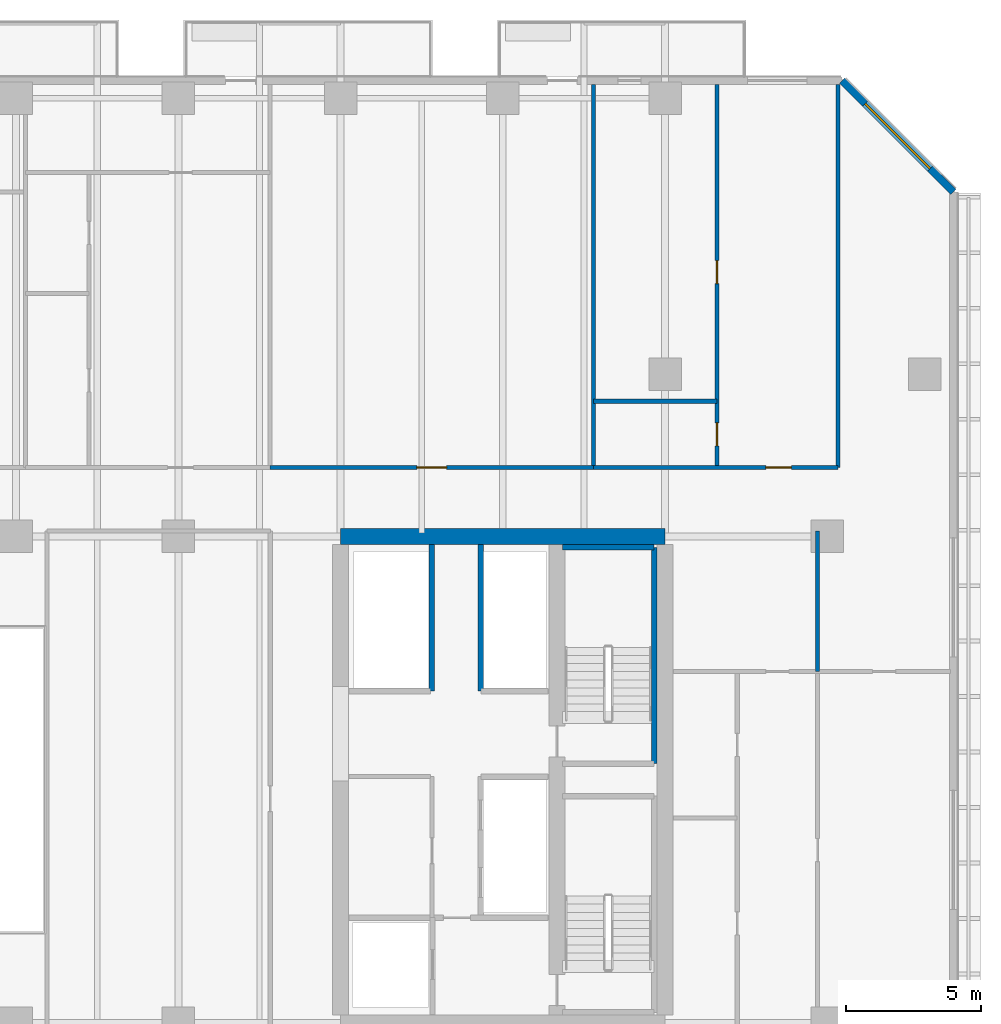
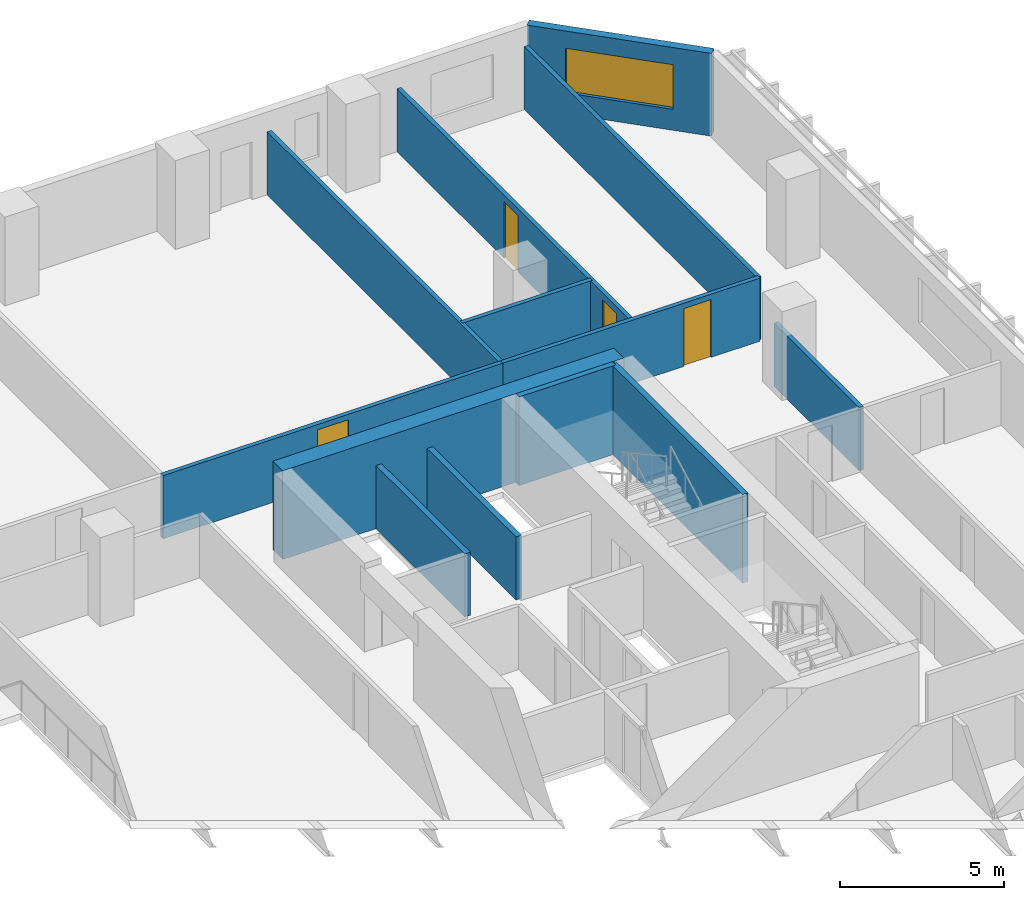
# One storey, part 16 of 26: 13 walls, 4 doors, 1 window, 5 openings.
"""IFC4 building model written with IfcOpenShell, lengths in metres."""

from ifc_helpers import new_model, si_unit, direction, frame, frame_2d, origin, place, context, subcontext, project, spatial, rectangle, extrude, material, layer, layer_set, type_object, element, fill, save


model = new_model("IFC4")

# Units and contexts
model_context = context("Model", 3, precision=1e-05, world=origin(), true_north=direction((0.0, 1.0)))
body_context = subcontext(model_context, "Body", "Model", "MODEL_VIEW")
ifc_project = project(units=[si_unit("LENGTHUNIT", "METRE"), si_unit("AREAUNIT", "SQUARE_METRE"), si_unit("VOLUMEUNIT", "CUBIC_METRE"), si_unit("PLANEANGLEUNIT", "RADIAN"), si_unit("MASSUNIT", "GRAM", prefix="KILO")], contexts=[model_context])

# Site, building, storey
site_placement = place(None, origin())
site = spatial("IfcSite", under=ifc_project, at=site_placement, CompositionType="ELEMENT")
building_placement = place(site_placement, origin())
building = spatial("IfcBuilding", under=site, at=building_placement, Name="Tanjung Sevakor Pilgrim Tower", CompositionType="ELEMENT")
storey_placement = place(building_placement, frame((0.0, 0.0, 48.840087890625)))
storey = spatial("IfcBuildingStorey", under=building, at=storey_placement, Name="L13", CompositionType="ELEMENT", Elevation=48.840087890625)

# Walls
ifc_material_1 = material(Name="Concrete C60/75", Category="concrete")
ifc_layer_1 = layer(ifc_material_1, 0.60009765625)
ifc_layer_set_1 = layer_set([ifc_layer_1], Name="WALL-CW-600")
wall_type_1 = type_object("IfcWallType", Name="WALL-CW-600", PredefinedType="SHEAR", material=ifc_layer_set_1)
wall_1_placement = place(storey_placement, frame((90.0, 42.60009765625, 0.0), z_axis=(0.0, 0.0, 1.0), x_axis=(-1.0, 0.0, 0.0)))
element("IfcWall", 1, at=wall_1_placement, inside=storey, type_object=wall_type_1, Name="L13 E Core North Shear Wall", PredefinedType="SHEAR", context=body_context, shape_type="SweptSolid", body=[
    extrude(rectangle(XDim=12.0, YDim=0.60009765625, at=frame_2d((6.0, 0.0))), origin(), (0.0, 0.0, 1.0), 3.2998046875),
])
ifc_material_2 = material(Name="Concrete C40/50", Category="concrete")
ifc_layer_2 = layer(ifc_material_2, 0.14990234375)
ifc_layer_set_2 = layer_set([ifc_layer_2], Name="WT-COMP-150")
wall_type_2 = type_object("IfcWallType", Name="WT-COMP-150", PredefinedType="SOLIDWALL", material=ifc_layer_set_2)
for number, where, z_axis, x_axis, name in (
    (2, (96.39990234375, 45.14990234375, 0.0), (0.0, 0.0, 1.0), (0.0, 1.0, 0.0), "L13 Partition IW-L13-089"),
    (3, (87.35009765625, 45.14990234375, 0.0), (0.0, 0.0, 1.0), (0.0, 1.0, 0.0), "L13 Partition IW-L13-102"),
):
    element("IfcWall", number, at=place(storey_placement, frame(where, z_axis=z_axis, x_axis=x_axis)), inside=storey, type_object=wall_type_2, Name=name, PredefinedType="SOLIDWALL", context=body_context, shape_type="SweptSolid", body=[
        extrude(rectangle(XDim=14.170166015625, YDim=0.14990234375, at=frame_2d((7.0849609375, 0.0))), origin(), (0.0, 0.0, 1.0), 2.35009765625),
    ])

# Wall, opening, door
wall_2_placement = place(storey_placement, frame((75.39111328125, 45.14990234375, 0.0), z_axis=(0.0, 0.0, 1.0), x_axis=(1.0, 0.0, 0.0)))
wall_2 = element("IfcWall", 4, at=wall_2_placement, inside=storey, type_object=wall_type_2, Name="L13 Partition IW-L13-103", PredefinedType="SOLIDWALL", context=body_context, shape_type="SweptSolid", body=[
    extrude(rectangle(XDim=11.958984375, YDim=0.14990234375, at=frame_2d((5.9794921875, 0.0))), origin(), (0.0, 0.0, 1.0), 2.35009765625),
])
opening_1_placement = place(wall_2_placement, frame((5.429443359375, 0.0, 0.0)))
opening_1 = element("IfcOpeningElement", 5, at=opening_1_placement, cuts=wall_2, Name="Opening ID-FD0", PredefinedType="OPENING", context=body_context, shape_type="SweptSolid", body=[
    extrude(rectangle(XDim=1.10009765625, YDim=2.14990234375, at=frame_2d((0.550048828125, 1.074951171875))), frame((0.0, 0.0849609375, 0.0), z_axis=(0.0, -1.0, 0.0), x_axis=(1.0, 0.0, 0.0)), (0.0, 0.0, 1.0), 0.169921875),
])
ifc_material_3 = material(Name="Fire-Rated Steel S355J2", Category="steel")
door_type_1 = type_object("IfcDoorType", Name="DT-FIRE-1100", OperationType="NOTDEFINED", PredefinedType="DOOR", material=ifc_material_3)
door_1_placement = place(opening_1_placement, origin())
door_1 = element("IfcDoor", 6, at=door_1_placement, inside=storey, type_object=door_type_1, Name="Seminar Room Door", OperationType="SINGLE_SWING_RIGHT", OverallHeight=2.14990234375, OverallWidth=1.10009765625, PredefinedType="DOOR", context=body_context, shape_type="SweptSolid", body=[
    extrude(rectangle(XDim=1.10009765625, YDim=2.14990234375, at=frame_2d((0.550048828125, 1.074951171875))), frame((0.0, 0.02490234375, 0.0), z_axis=(0.0, -1.0, 0.0), x_axis=(1.0, 0.0, 0.0)), (0.0, 0.0, 1.0), 0.050048828125),
])
fill(opening_1, door_1)

wall_3_placement = place(storey_placement, frame((87.35009765625, 45.14990234375, 0.0), z_axis=(0.0, 0.0, 1.0), x_axis=(1.0, 0.0, 0.0)))
wall_3 = element("IfcWall", 7, at=wall_3_placement, inside=storey, type_object=wall_type_2, Name="L13 Partition IW-L13-106", PredefinedType="SOLIDWALL", context=body_context, shape_type="SweptSolid", body=[
    extrude(rectangle(XDim=9.0498046875, YDim=0.14990234375, at=frame_2d((4.52490234375, 0.0))), origin(), (0.0, 0.0, 1.0), 2.35009765625),
])
opening_2_placement = place(wall_3_placement, frame((6.375, 0.0, 0.0)))
opening_2 = element("IfcOpeningElement", 8, at=opening_2_placement, cuts=wall_3, Name="Opening ID-FD2", PredefinedType="OPENING", context=body_context, shape_type="SweptSolid", body=[
    extrude(rectangle(XDim=0.949951171875, YDim=2.14990234375, at=frame_2d((0.47509765625, 1.074951171875))), frame((0.0, 0.0849609375, 0.0), z_axis=(0.0, -1.0, 0.0), x_axis=(1.0, 0.0, 0.0)), (0.0, 0.0, 1.0), 0.169921875),
])
ifc_material_4 = material(Name="Fire-Rated Timber", Category="wood")
door_type_2 = type_object("IfcDoorType", Name="DT-FIRE-950", OperationType="NOTDEFINED", PredefinedType="DOOR", material=ifc_material_4)
door_2_placement = place(opening_2_placement, origin())
door_2 = element("IfcDoor", 9, at=door_2_placement, inside=storey, type_object=door_type_2, Name="Hostel Quad Entrance", OperationType="SINGLE_SWING_LEFT", OverallHeight=2.14990234375, OverallWidth=0.949951171875, PredefinedType="DOOR", context=body_context, shape_type="SweptSolid", body=[
    extrude(rectangle(XDim=0.949951171875, YDim=2.14990234375, at=frame_2d((0.47509765625, 1.074951171875))), frame((0.0, 0.02490234375, 0.0), z_axis=(0.0, -1.0, 0.0), x_axis=(1.0, 0.0, 0.0)), (0.0, 0.0, 1.0), 0.050048828125),
])
fill(opening_2, door_2)

# Wall, opening, window
ifc_material_5 = material(Name="Precast concrete C45/55", Category="concrete")
ifc_layer_3 = layer(ifc_material_5, 0.280029296875)
ifc_layer_set_3 = layer_set([ifc_layer_3], Name="WT-EW-STN2")
wall_type_3 = type_object("IfcWallType", Name="WT-EW-STN2", PredefinedType="SOLIDWALL", material=ifc_layer_set_3)
wall_4_placement = place(storey_placement, frame((100.659912109375, 55.342041015625, 0.0), z_axis=(0.0, 0.0, 1.0), x_axis=(-0.707106781187, 0.707106781187, 0.0)))
wall_4 = element("IfcWall", 10, at=wall_4_placement, inside=storey, type_object=wall_type_3, Name="L13 MAIN Sculpted Corner Wall 7", PredefinedType="SOLIDWALL", context=body_context, shape_type="SweptSolid", body=[
    extrude(rectangle(XDim=5.82373046875, YDim=0.280029296875, at=frame_2d((2.911865234375, 0.0))), origin(), (0.0, 0.0, 1.0), 3.080078125),
])
opening_3_placement = place(wall_4_placement, frame((1.2119140625, 0.0, 0.780029296875)))
opening_3 = element("IfcOpeningElement", 11, at=opening_3_placement, cuts=wall_4, Name="Opening WN-CHM-1660", PredefinedType="OPENING", context=body_context, shape_type="SweptSolid", body=[
    extrude(rectangle(XDim=3.39990234375, YDim=1.659912109375, at=frame_2d((1.699951171875, 0.830078125))), frame((0.0, 0.14990234375, 0.0), z_axis=(0.0, -1.0, 0.0), x_axis=(1.0, 0.0, 0.0)), (0.0, 0.0, 1.0), 0.300048828125),
])
ifc_material_6 = material(Name="Thermally Broken Aluminium and Low-E Glass", Category="aluminium")
window_type = type_object("IfcWindowType", Name="WTYP-WN-CHM-1660", PartitioningType="DOUBLE_PANEL_VERTICAL", PredefinedType="WINDOW", material=ifc_material_6)
window_placement = place(opening_3_placement, origin())
window = element("IfcWindow", 12, at=window_placement, inside=storey, type_object=window_type, Name="L13 Facade Window 01", OverallHeight=1.659912109375, OverallWidth=3.39990234375, PartitioningType="SINGLE_PANEL", PredefinedType="WINDOW", context=body_context, shape_type="SweptSolid", body=[
    extrude(rectangle(XDim=3.39990234375, YDim=1.659912109375, at=frame_2d((1.699951171875, 0.830078125))), frame((0.0, 0.030029296875, 0.0), z_axis=(0.0, -1.0, 0.0), x_axis=(1.0, 0.0, 0.0)), (0.0, 0.0, 1.0), 0.06005859375),
])
fill(opening_3, window)

# Walls
ifc_material_7 = material(Name="Concrete C40/50", Category="concrete")
ifc_layer_4 = layer(ifc_material_7, 0.199951171875)
ifc_layer_set_4 = layer_set([ifc_layer_4], Name="WT-FIRE-200")
wall_type_4 = type_object("IfcWallType", Name="WT-FIRE-200", PredefinedType="SOLIDWALL", material=ifc_layer_set_4)
wall_5_placement = place(storey_placement, frame((89.60009765625, 34.199951171875, 0.0), z_axis=(0.0, 0.0, 1.0), x_axis=(0.0, 1.0, 0.0)))
element("IfcWall", 13, at=wall_5_placement, inside=storey, type_object=wall_type_4, Name="L13 TS-E2 Shaft Wall 2", PredefinedType="SOLIDWALL", context=body_context, shape_type="SweptSolid", body=[
    extrude(rectangle(XDim=8.0, YDim=0.199951171875, at=frame_2d((4.0, 0.0))), origin(), (0.0, 0.0, 1.0), 3.2998046875),
])
wall_6_placement = place(storey_placement, frame((89.60009765625, 42.199951171875, 0.0), z_axis=(0.0, 0.0, 1.0), x_axis=(-1.0, 0.0, 0.0)))
element("IfcWall", 14, at=wall_6_placement, inside=storey, type_object=wall_type_4, Name="L13 TS-E2 Shaft Wall 3", PredefinedType="SOLIDWALL", context=body_context, shape_type="SweptSolid", body=[
    extrude(rectangle(XDim=3.400146484375, YDim=0.199951171875, at=frame_2d((1.7001953125, 0.0))), origin(), (0.0, 0.0, 1.0), 3.2998046875),
])
ifc_material_8 = material(Name="Concrete C40/50", Category="concrete")
ifc_layer_5 = layer(ifc_material_8, 0.199951171875)
ifc_layer_set_5 = layer_set([ifc_layer_5], Name="WT-FPRT-200")
wall_type_5 = type_object("IfcWallType", Name="WT-FPRT-200", PredefinedType="SOLIDWALL", material=ifc_layer_set_5)
for number, where, z_axis, x_axis, name in (
    (15, (83.179931640625, 36.8798828125, 0.0), (0.0, 0.0, 1.0), (0.0, 1.0, 0.0), "L13 Partition IW-L13-018"),
    (16, (81.3798828125, 36.8798828125, 0.0), (0.0, 0.0, 1.0), (0.0, 1.0, 0.0), "L13 Partition IW-L13-020"),
):
    element("IfcWall", number, at=place(storey_placement, frame(where, z_axis=z_axis, x_axis=x_axis)), inside=storey, type_object=wall_type_5, Name=name, PredefinedType="SOLIDWALL", context=body_context, shape_type="SweptSolid", body=[
        extrude(rectangle(XDim=5.420166015625, YDim=0.199951171875, at=frame_2d((2.7099609375, 0.0))), origin(), (0.0, 0.0, 1.0), 2.35009765625),
    ])
ifc_material_9 = material(Name="Gypsum Board Partition", Category="gypsum board")
ifc_layer_6 = layer(ifc_material_9, 0.14990234375)
ifc_layer_set_6 = layer_set([ifc_layer_6], Name="WT-PART-150")
wall_type_6 = type_object("IfcWallType", Name="WT-PART-150", PredefinedType="PARTITIONING", material=ifc_layer_set_6)
wall_7_placement = place(storey_placement, frame((95.644775390625, 37.60009765625, 0.0), z_axis=(0.0, 0.0, 1.0), x_axis=(0.0, 1.0, 0.0)))
element("IfcWall", 17, at=wall_7_placement, inside=storey, type_object=wall_type_6, Name="L13 Partition IW-L13-033", PredefinedType="PARTITIONING", context=body_context, shape_type="SweptSolid", body=[
    extrude(rectangle(XDim=5.199951171875, YDim=0.14990234375, at=frame_2d((2.60009765625, 0.0))), origin(), (0.0, 0.0, 1.0), 2.35009765625),
])
wall_8_placement = place(storey_placement, frame((87.35009765625, 47.60009765625, 0.0), z_axis=(0.0, 0.0, 1.0), x_axis=(1.0, 0.0, 0.0)))
element("IfcWall", 18, at=wall_8_placement, inside=storey, type_object=wall_type_6, Name="L13 Partition IW-L13-104", PredefinedType="PARTITIONING", context=body_context, shape_type="SweptSolid", body=[
    extrude(rectangle(XDim=4.56982421875, YDim=0.14990234375, at=frame_2d((2.284912109375, 0.0))), origin(), (0.0, 0.0, 1.0), 2.35009765625),
])

# Wall, openings, doors
wall_9_placement = place(storey_placement, frame((91.919921875, 45.14990234375, 0.0), z_axis=(0.0, 0.0, 1.0), x_axis=(0.0, 1.0, 0.0)))
wall_9 = element("IfcWall", 19, at=wall_9_placement, inside=storey, type_object=wall_type_6, Name="L13 Partition IW-L13-105", PredefinedType="PARTITIONING", context=body_context, shape_type="SweptSolid", body=[
    extrude(rectangle(XDim=14.170166015625, YDim=0.14990234375, at=frame_2d((7.0849609375, 0.0))), origin(), (0.0, 0.0, 1.0), 2.35009765625),
])
opening_4_placement = place(wall_9_placement, frame((0.800048828125, 0.0, 0.0)))
opening_4 = element("IfcOpeningElement", 20, at=opening_4_placement, cuts=wall_9, Name="Opening ID-WC1", PredefinedType="OPENING", context=body_context, shape_type="SweptSolid", body=[
    extrude(rectangle(XDim=0.85009765625, YDim=2.10009765625, at=frame_2d((0.425048828125, 1.050048828125))), frame((0.0, 0.0849609375, 0.0), z_axis=(0.0, -1.0, 0.0), x_axis=(1.0, 0.0, 0.0)), (0.0, 0.0, 1.0), 0.169921875),
])
opening_5_placement = place(wall_9_placement, frame((6.798095703125, 0.0, 0.0)))
opening_5 = element("IfcOpeningElement", 21, at=opening_5_placement, cuts=wall_9, Name="Opening ID-WC1", PredefinedType="OPENING", context=body_context, shape_type="SweptSolid", body=[
    extrude(rectangle(XDim=0.85009765625, YDim=2.10009765625, at=frame_2d((0.425048828125, 1.050048828125))), frame((0.0, 0.0849609375, 0.0), z_axis=(0.0, -1.0, 0.0), x_axis=(1.0, 0.0, 0.0)), (0.0, 0.0, 1.0), 0.169921875),
])
ifc_material_10 = material(Name="Moisture-Resistant Timber", Category="wood")
door_type_3 = type_object("IfcDoorType", Name="DT-INT-850", OperationType="NOTDEFINED", PredefinedType="DOOR", material=ifc_material_10)
door_3_placement = place(opening_4_placement, origin())
door_3 = element("IfcDoor", 22, at=door_3_placement, inside=storey, type_object=door_type_3, Name="Bathroom Door", OperationType="SINGLE_SWING_LEFT", OverallHeight=2.10009765625, OverallWidth=0.85009765625, PredefinedType="DOOR", context=body_context, shape_type="SweptSolid", body=[
    extrude(rectangle(XDim=0.85009765625, YDim=2.10009765625, at=frame_2d((0.425048828125, 1.050048828125))), frame((0.0, 0.02490234375, 0.0), z_axis=(0.0, -1.0, 0.0), x_axis=(1.0, 0.0, 0.0)), (0.0, 0.0, 1.0), 0.050048828125),
])
fill(opening_4, door_3)
door_4_placement = place(opening_5_placement, origin())
door_4 = element("IfcDoor", 23, at=door_4_placement, inside=storey, type_object=door_type_3, Name="Study Nook Door", OperationType="SINGLE_SWING_RIGHT", OverallHeight=2.10009765625, OverallWidth=0.85009765625, PredefinedType="DOOR", context=body_context, shape_type="SweptSolid", body=[
    extrude(rectangle(XDim=0.85009765625, YDim=2.10009765625, at=frame_2d((0.425048828125, 1.050048828125))), frame((0.0, 0.02490234375, 0.0), z_axis=(0.0, -1.0, 0.0), x_axis=(1.0, 0.0, 0.0)), (0.0, 0.0, 1.0), 0.050048828125),
])
fill(opening_5, door_4)

save(model, "model.ifc")
